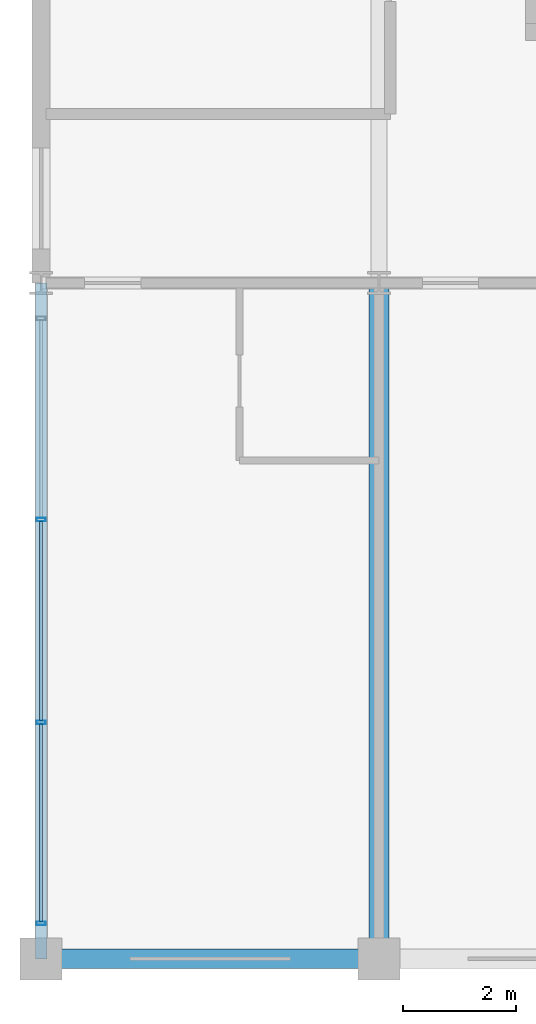
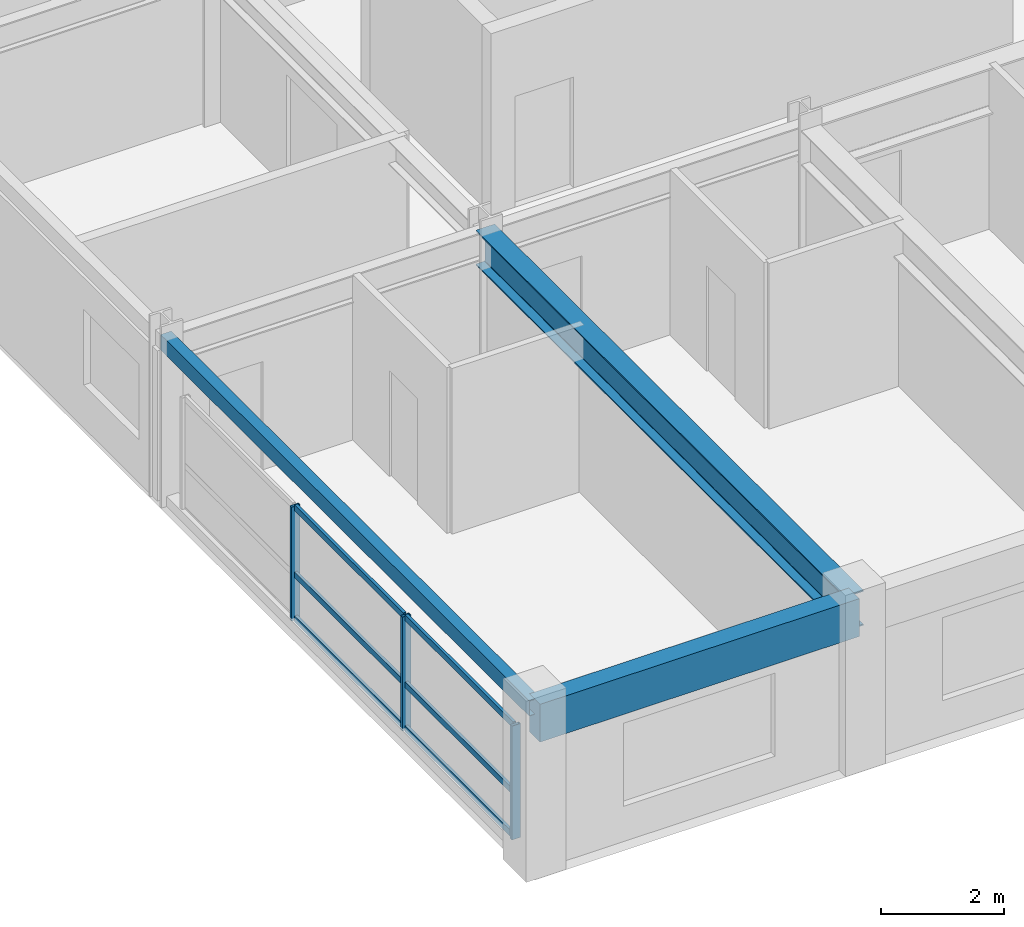
# One storey, part 2 of 20: 9 members, 3 beams, 1 element without a shape of its own.
"""IFC4 building model written with IfcOpenShell, lengths in metres."""

from ifc_helpers import new_model, si_unit, direction, frame, origin, origin_2d, place, context, subcontext, project, spatial, rectangle, hollow_rectangle, i_section, extrude, material, material_profile, profile_set, type_object, element, aggregate, save


model = new_model("IFC4")

# Units and contexts
model_context = context("Model", 3, precision=1e-05, world=origin(), true_north=direction((0.0, 1.0)))
body_context = subcontext(model_context, "Body", "Model", "MODEL_VIEW")
ifc_project = project(units=[si_unit("LENGTHUNIT", "METRE"), si_unit("AREAUNIT", "SQUARE_METRE"), si_unit("VOLUMEUNIT", "CUBIC_METRE"), si_unit("PLANEANGLEUNIT", "RADIAN"), si_unit("MASSUNIT", "GRAM", prefix="KILO")], contexts=[model_context])

# Site, building, storey
site_placement = place(None, origin())
site = spatial("IfcSite", under=ifc_project, at=site_placement, CompositionType="ELEMENT")
building_placement = place(site_placement, origin())
building = spatial("IfcBuilding", under=site, at=building_placement, Name="Kaldorvane Square Convention Centre", CompositionType="ELEMENT")
storey_placement = place(building_placement, frame((0.0, 0.0, 52.80000305175781)))
storey = spatial("IfcBuildingStorey", under=building, at=storey_placement, Name="L12", CompositionType="ELEMENT", Elevation=52.80000305175781)

# Beams
ifc_material_1 = material(Name="Steel ASTM A992 Gr. 50", Category="steel")
ifc_material_profile_1 = material_profile(ifc_material_1, i_section(OverallWidth=0.354705810546875, OverallDepth=0.69549560546875, WebThickness=0.0153961181640625, FlangeThickness=0.0251007080078125, FilletRadius=0.01519775390625, at=origin_2d()), Name="W27X146")
ifc_profile_set_1 = profile_set([ifc_material_profile_1], Name="Steel ASTM A992 Gr. 50")
beam_type_1 = type_object("IfcBeamType", Name="BM-GR-W27X146", PredefinedType="BEAM", material=ifc_profile_set_1)
beam_1_placement = place(storey_placement, frame((36.0, 84.0, 2.93829345703125), z_axis=(0.0, 1.0, 0.0), x_axis=(-1.0, 0.0, 0.0)))
element("IfcBeam", 1, at=beam_1_placement, inside=storey, type_object=beam_type_1, Name="Transverse Girder (L12)", PredefinedType="BEAM", context=body_context, shape_type="SweptSolid", body=[
    extrude(i_section(OverallWidth=0.354705810546875, OverallDepth=0.69549560546875, WebThickness=0.0153961181640625, FlangeThickness=0.0251007080078125, FilletRadius=0.01519775390625, at=origin_2d()), origin(), (0.0, 0.0, 1.0), 12.0),
])
ifc_material_2 = material(Name="Steel ASTM A500 Gr. C", Category="steel")
ifc_material_profile_2 = material_profile(ifc_material_2, hollow_rectangle(XDim=0.2032012939453125, YDim=0.3047943115234375, WallThickness=0.0088958740234375, at=origin_2d()), Name="HSS12X8X3/8")
ifc_profile_set_2 = profile_set([ifc_material_profile_2], Name="Steel ASTM A500 Gr. C")
beam_type_2 = type_object("IfcBeamType", Name="BM-SP-HSS12", PredefinedType="SPANDREL", material=ifc_profile_set_2)
beam_2_placement = place(storey_placement, frame((30.0, 84.0, 3.1335906982421875), z_axis=(0.0, 1.0, 0.0), x_axis=(-1.0, 0.0, 0.0)))
element("IfcBeam", 2, at=beam_2_placement, inside=storey, type_object=beam_type_2, Name="End Spandrel (L12)", PredefinedType="SPANDREL", context=body_context, shape_type="SweptSolid", body=[
    extrude(hollow_rectangle(XDim=0.2032012939453125, YDim=0.3047943115234375, WallThickness=0.0088958740234375, at=origin_2d()), origin(), (0.0, 0.0, 1.0), 12.0),
])
ifc_material_3 = material(Name="Concrete f'c = 42 MPa (Normalweight)", Category="concrete")
ifc_material_profile_3 = material_profile(ifc_material_3, rectangle(XDim=0.350006103515625, YDim=0.75, at=origin_2d()), Name="RCSP750X350")
ifc_profile_set_3 = profile_set([ifc_material_profile_3], Name="Concrete f'c = 42 MPa (Normalweight)")
beam_type_3 = type_object("IfcBeamType", Name="BM-SP-RC750", PredefinedType="SPANDREL", material=ifc_profile_set_3)
beam_3_placement = place(storey_placement, frame((30.0, 84.0, 2.9109954833984375), z_axis=(1.0, 0.0, 0.0), x_axis=(0.0, 1.0, 0.0)))
element("IfcBeam", 3, at=beam_3_placement, inside=storey, type_object=beam_type_3, Name="Perimeter Spandrel (L12)", PredefinedType="SPANDREL", context=body_context, shape_type="SweptSolid", body=[
    extrude(rectangle(XDim=0.350006103515625, YDim=0.75, at=origin_2d()), origin(), (0.0, 0.0, 1.0), 6.0),
])

# Curtain wall, members
ifc_material_4 = material(Name="Anodized Aluminum and Low-E Insulated Glazing", Category="aluminium")
curtain_wall_type = type_object("IfcCurtainWallType", Name="CW-UNI-HTL-B", PredefinedType="USERDEFINED", material=ifc_material_4)
curtain_wall_placement = place(storey_placement, origin())
curtain_wall = element("IfcCurtainWall", 4, at=curtain_wall_placement, inside=storey, type_object=curtain_wall_type, Name="Curtain Wall CW-11 (L12)", ObjectType="UNITISED GLAZING", PredefinedType="USERDEFINED")
ifc_material_profile_4 = material_profile(ifc_material_4, hollow_rectangle(XDim=0.05999755859375, YDim=0.160003662109375, WallThickness=0.003204345703125, at=origin_2d()), Name="CWM-160X60")
ifc_profile_set_4 = profile_set([ifc_material_profile_4], Name="Anodized Aluminum and Low-E Insulated Glazing")
member_type_1 = type_object("IfcMemberType", Name="CW-MUL-160", PredefinedType="MULLION", material=ifc_profile_set_4)
member_1_placement = place(storey_placement, frame((30.0, 91.80000305175781, 0.149993896484375), z_axis=(0.0, 0.0, 1.0), x_axis=(0.0, -1.0, 0.0)))
member_1 = element("IfcMember", 5, at=member_1_placement, type_object=member_type_1, Name="CW-11 mullion 2", PredefinedType="MULLION", context=body_context, shape_type="SweptSolid", body=[
    extrude(hollow_rectangle(XDim=0.05999755859375, YDim=0.160003662109375, WallThickness=0.003204345703125, at=origin_2d()), origin(), (0.0, 0.0, 1.0), 2.260009765625),
])
member_2_placement = place(storey_placement, frame((30.0, 88.19999694824219, 0.149993896484375), z_axis=(0.0, 0.0, 1.0), x_axis=(0.0, -1.0, 0.0)))
member_2 = element("IfcMember", 6, at=member_2_placement, type_object=member_type_1, Name="CW-11 mullion 3", PredefinedType="MULLION", context=body_context, shape_type="SweptSolid", body=[
    extrude(hollow_rectangle(XDim=0.05999755859375, YDim=0.160003662109375, WallThickness=0.003204345703125, at=origin_2d()), origin(), (0.0, 0.0, 1.0), 2.260009765625),
])
member_3_placement = place(storey_placement, frame((30.0, 84.6300048828125, 0.149993896484375), z_axis=(0.0, 0.0, 1.0), x_axis=(0.0, -1.0, 0.0)))
member_3 = element("IfcMember", 7, at=member_3_placement, type_object=member_type_1, Name="CW-11 mullion 4", PredefinedType="MULLION", context=body_context, shape_type="SweptSolid", body=[
    extrude(hollow_rectangle(XDim=0.05999755859375, YDim=0.160003662109375, WallThickness=0.003204345703125, at=origin_2d()), origin(), (0.0, 0.0, 1.0), 2.260009765625),
])
ifc_material_profile_5 = material_profile(ifc_material_4, hollow_rectangle(XDim=0.05499267578125, YDim=0.1199951171875, WallThickness=0.0030059814453125, at=origin_2d()), Name="CWT-120X55")
ifc_profile_set_5 = profile_set([ifc_material_profile_5], Name="Anodized Aluminum and Low-E Insulated Glazing")
member_type_2 = type_object("IfcMemberType", Name="CW-TRN-120", PredefinedType="USERDEFINED", material=ifc_profile_set_5)
member_4_placement = place(storey_placement, frame((30.0, 91.77000427246094, 0.177490234375), z_axis=(0.0, -1.0, 0.0), x_axis=(1.0, 0.0, 0.0)))
member_4 = element("IfcMember", 8, at=member_4_placement, type_object=member_type_2, Name="CW-11 transom 2.1", ObjectType="TRANSOM", PredefinedType="USERDEFINED", context=body_context, shape_type="SweptSolid", body=[
    extrude(hollow_rectangle(XDim=0.05499267578125, YDim=0.1199951171875, WallThickness=0.0030059814453125, at=origin_2d()), origin(), (0.0, 0.0, 1.0), 3.540008544921875),
])
member_5_placement = place(storey_placement, frame((30.0, 91.77000427246094, 1.0500030517578125), z_axis=(0.0, -1.0, 0.0), x_axis=(1.0, 0.0, 0.0)))
member_5 = element("IfcMember", 9, at=member_5_placement, type_object=member_type_2, Name="CW-11 transom 2.2", ObjectType="TRANSOM", PredefinedType="USERDEFINED", context=body_context, shape_type="SweptSolid", body=[
    extrude(hollow_rectangle(XDim=0.05499267578125, YDim=0.1199951171875, WallThickness=0.0030059814453125, at=origin_2d()), origin(), (0.0, 0.0, 1.0), 3.540008544921875),
])
member_6_placement = place(storey_placement, frame((30.0, 91.77000427246094, 2.3824920654296875), z_axis=(0.0, -1.0, 0.0), x_axis=(1.0, 0.0, 0.0)))
member_6 = element("IfcMember", 10, at=member_6_placement, type_object=member_type_2, Name="CW-11 transom 2.3", ObjectType="TRANSOM", PredefinedType="USERDEFINED", context=body_context, shape_type="SweptSolid", body=[
    extrude(hollow_rectangle(XDim=0.05499267578125, YDim=0.1199951171875, WallThickness=0.0030059814453125, at=origin_2d()), origin(), (0.0, 0.0, 1.0), 3.540008544921875),
])
member_7_placement = place(storey_placement, frame((30.0, 88.16999816894531, 0.177490234375), z_axis=(0.0, -1.0, 0.0), x_axis=(1.0, 0.0, 0.0)))
member_7 = element("IfcMember", 11, at=member_7_placement, type_object=member_type_2, Name="CW-11 transom 3.1", ObjectType="TRANSOM", PredefinedType="USERDEFINED", context=body_context, shape_type="SweptSolid", body=[
    extrude(hollow_rectangle(XDim=0.05499267578125, YDim=0.1199951171875, WallThickness=0.0030059814453125, at=origin_2d()), origin(), (0.0, 0.0, 1.0), 3.5099945068359375),
])
member_8_placement = place(storey_placement, frame((30.0, 88.16999816894531, 1.0500030517578125), z_axis=(0.0, -1.0, 0.0), x_axis=(1.0, 0.0, 0.0)))
member_8 = element("IfcMember", 12, at=member_8_placement, type_object=member_type_2, Name="CW-11 transom 3.2", ObjectType="TRANSOM", PredefinedType="USERDEFINED", context=body_context, shape_type="SweptSolid", body=[
    extrude(hollow_rectangle(XDim=0.05499267578125, YDim=0.1199951171875, WallThickness=0.0030059814453125, at=origin_2d()), origin(), (0.0, 0.0, 1.0), 3.5099945068359375),
])
member_9_placement = place(storey_placement, frame((30.0, 88.16999816894531, 2.3824920654296875), z_axis=(0.0, -1.0, 0.0), x_axis=(1.0, 0.0, 0.0)))
member_9 = element("IfcMember", 13, at=member_9_placement, type_object=member_type_2, Name="CW-11 transom 3.3", ObjectType="TRANSOM", PredefinedType="USERDEFINED", context=body_context, shape_type="SweptSolid", body=[
    extrude(hollow_rectangle(XDim=0.05499267578125, YDim=0.1199951171875, WallThickness=0.0030059814453125, at=origin_2d()), origin(), (0.0, 0.0, 1.0), 3.5099945068359375),
])
aggregate(curtain_wall, [member_1, member_2, member_3, member_4, member_5, member_6, member_7, member_8, member_9])

save(model, "model.ifc")
